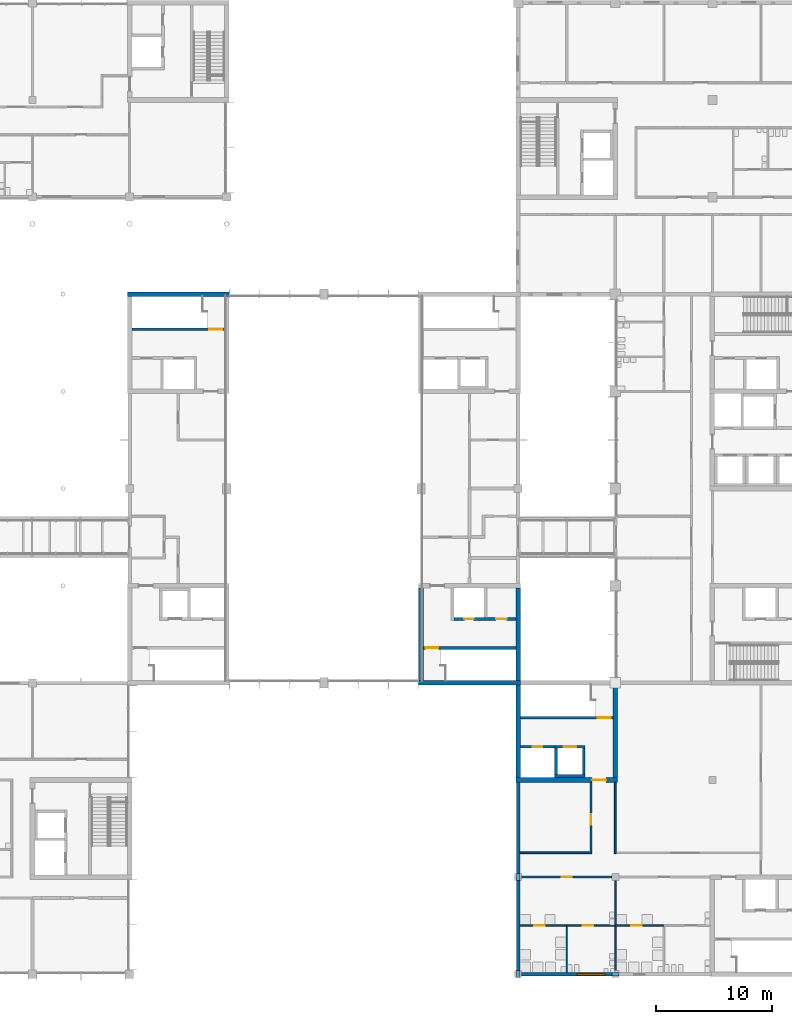
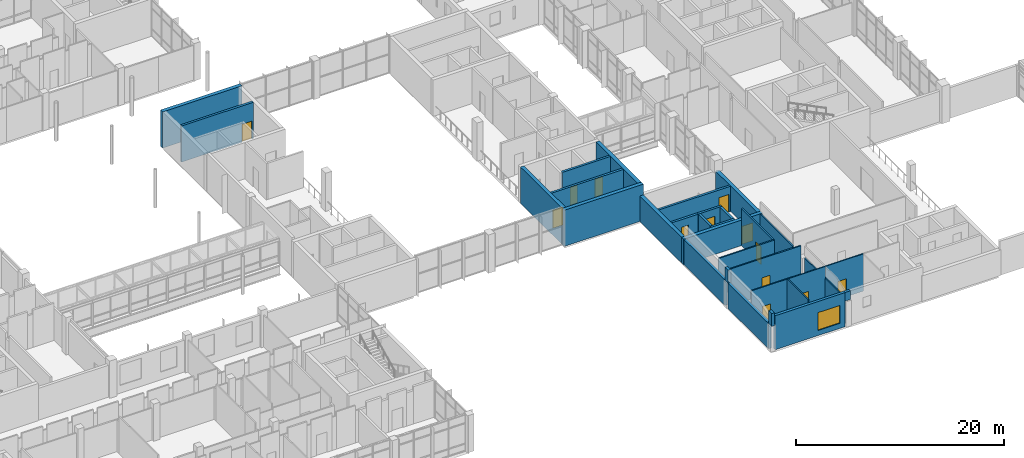
# One storey, part 38 of 70: 32 walls, 13 doors, 1 window, 14 openings.
"""IFC4 building model written with IfcOpenShell, lengths in metres."""

from ifc_helpers import new_model, si_unit, direction, frame, frame_2d, origin, place, context, subcontext, project, spatial, polyline, rectangle, outline, extrude, material, layer, layer_set, type_object, element, fill, save


model = new_model("IFC4")

# Units and contexts
model_context = context("Model", 3, precision=1e-05, world=origin(), true_north=direction((0.0, 1.0)))
body_context = subcontext(model_context, "Body", "Model", "MODEL_VIEW")
ifc_project = project(units=[si_unit("LENGTHUNIT", "METRE"), si_unit("AREAUNIT", "SQUARE_METRE"), si_unit("VOLUMEUNIT", "CUBIC_METRE"), si_unit("PLANEANGLEUNIT", "RADIAN"), si_unit("MASSUNIT", "GRAM", prefix="KILO")], contexts=[model_context])

# Site, building, storey
site_placement = place(None, origin())
site = spatial("IfcSite", under=ifc_project, at=site_placement, CompositionType="ELEMENT")
building_placement = place(site_placement, origin())
building = spatial("IfcBuilding", under=site, at=building_placement, Name="Hlaing Beacon Police Headquarters", CompositionType="ELEMENT")
storey_placement = place(building_placement, frame((0.0, 0.0, 5.39990234375)))
storey = spatial("IfcBuildingStorey", under=building, at=storey_placement, Name="L01", CompositionType="ELEMENT", Elevation=5.39990234375)

# Walls
ifc_material_1 = material(Name="Concrete C60/75", Category="concrete")
ifc_layer_1 = layer(ifc_material_1, 0.39990234375)
ifc_layer_set_1 = layer_set([ifc_layer_1], Name="Concrete C60/75")
wall_type_1 = type_object("IfcWallType", Name="Core shear wall 400", PredefinedType="SHEAR", material=ifc_layer_set_1)
wall_1_placement = place(storey_placement, frame((58.60009765625, 67.199951171875, 0.0), z_axis=(0.0, 0.0, 1.0), x_axis=(1.0, 0.0, 0.0)))
element("IfcWall", 1, at=wall_1_placement, inside=storey, type_object=wall_type_1, Name="Core shear wall", PredefinedType="SHEAR", context=body_context, shape_type="SweptSolid", body=[
    extrude(rectangle(XDim=8.7998046875, YDim=0.39990234375, at=frame_2d((4.39990234375, 0.0))), origin(), (0.0, 0.0, 1.0), 4.25),
])
wall_2_placement = place(storey_placement, frame((83.800048828125, 33.60009765625, 0.0), z_axis=(0.0, 0.0, 1.0), x_axis=(1.0, 0.0, 0.0)))
element("IfcWall", 2, at=wall_2_placement, inside=storey, type_object=wall_type_1, Name="Core shear wall", PredefinedType="SHEAR", context=body_context, shape_type="SweptSolid", body=[
    extrude(rectangle(XDim=8.800048828125, YDim=0.39990234375, at=frame_2d((4.39990234375, 0.0))), origin(), (0.0, 0.0, 1.0), 4.25),
])
for number, where, z_axis, x_axis, name in (
    (3, (84.0, 33.800048828125, 0.0), (0.0, 0.0, 1.0), (0.0, 1.0, 0.0), "Core shear wall"),
    (4, (92.39990234375, 33.800048828125, 0.0), (0.0, 0.0, 1.0), (0.0, 1.0, 0.0), "Core shear wall"),
):
    element("IfcWall", number, at=place(storey_placement, frame(where, z_axis=z_axis, x_axis=x_axis)), inside=storey, type_object=wall_type_1, Name=name, PredefinedType="SHEAR", context=body_context, shape_type="SweptSolid", body=[
        extrude(rectangle(XDim=8.0, YDim=0.39990234375, at=frame_2d((4.0, 0.0))), origin(), (0.0, 0.0, 1.0), 4.25),
    ])

# Wall, opening, door
wall_3_placement = place(storey_placement, frame((92.199951171875, 25.199951171875, 0.0), z_axis=(0.0, 0.0, 1.0), x_axis=(1.0, 0.0, 0.0)))
wall_3 = element("IfcWall", 5, at=wall_3_placement, inside=storey, type_object=wall_type_1, Name="Core shear wall", PredefinedType="SHEAR", context=body_context, shape_type="SweptSolid", body=[
    extrude(rectangle(XDim=8.800048828125, YDim=0.39990234375, at=frame_2d((4.39990234375, 0.0))), origin(), (0.0, 0.0, 1.0), 3.0),
])
opening_1_placement = place(wall_3_placement, frame((6.60009765625, 0.0, 0.0)))
opening_1 = element("IfcOpeningElement", 6, at=opening_1_placement, cuts=wall_3, Name="Opening L01-922", PredefinedType="OPENING", context=body_context, shape_type="SweptSolid", body=[
    extrude(rectangle(XDim=1.199951171875, YDim=2.10009765625, at=frame_2d((0.60009765625, 1.050048828125))), frame((0.0, 0.2099609375, 0.0), z_axis=(0.0, -1.0, 0.0), x_axis=(1.0, 0.0, 0.0)), (0.0, 0.0, 1.0), 0.419921875),
])
ifc_material_2 = material(Name="Steel fire door leaf", Category="steel")
ifc_layer_2 = layer(ifc_material_2, 0.070068359375)
ifc_layer_set_2 = layer_set([ifc_layer_2], Name="Steel fire door leaf")
door_type_1 = type_object("IfcDoorType", Name="Steel fire door FD60S 1200x2100", OperationType="SINGLE_SWING_LEFT", PredefinedType="DOOR", material=ifc_layer_set_2)
door_1_placement = place(opening_1_placement, origin())
door_1 = element("IfcDoor", 7, at=door_1_placement, inside=storey, type_object=door_type_1, Name="Door Lift and Stair Lobby ST-G Entry", OperationType="SINGLE_SWING_RIGHT", OverallHeight=2.10009765625, OverallWidth=1.199951171875, PredefinedType="DOOR", context=body_context, shape_type="SweptSolid", body=[
    extrude(rectangle(XDim=1.199951171875, YDim=2.10009765625, at=frame_2d((0.60009765625, 1.050048828125))), frame((0.0, 0.03515625, 0.0), z_axis=(0.0, -1.0, 0.0), x_axis=(1.0, 0.0, 0.0)), (0.0, 0.0, 1.0), 0.070068359375),
])
fill(opening_1, door_1)

# Walls
for number, where, z_axis, x_axis, name in (
    (8, (92.39990234375, 25.39990234375, 0.0), (0.0, 0.0, 1.0), (0.0, 1.0, 0.0), "Core shear wall"),
    (9, (100.800048828125, 25.39990234375, 0.0), (0.0, 0.0, 1.0), (0.0, 1.0, 0.0), "Core shear wall"),
):
    element("IfcWall", number, at=place(storey_placement, frame(where, z_axis=z_axis, x_axis=x_axis)), inside=storey, type_object=wall_type_1, Name=name, PredefinedType="SHEAR", context=body_context, shape_type="SweptSolid", body=[
        extrude(rectangle(XDim=8.0, YDim=0.39990234375, at=frame_2d((4.0, 0.0))), origin(), (0.0, 0.0, 1.0), 3.0),
    ])
ifc_material_3 = material(Name="Gypsum board partition")
ifc_layer_3 = layer(ifc_material_3, 0.14990234375)
ifc_layer_set_3 = layer_set([ifc_layer_3], Name="Gypsum board partition")
wall_type_2 = type_object("IfcWallType", Name="Corridor wall EI 30 150", PredefinedType="PARTITIONING", material=ifc_layer_set_3)
wall_4_placement = place(storey_placement, frame((100.800048828125, 18.824951171875, 0.0), z_axis=(0.0, 0.0, 1.0), x_axis=(0.0, 1.0, 0.0)))
element("IfcWall", 10, at=wall_4_placement, inside=storey, type_object=wall_type_2, Name="Corridor wall EI 30 150", PredefinedType="PARTITIONING", context=body_context, shape_type="SweptSolid", body=[
    extrude(rectangle(XDim=6.175048828125, YDim=0.14990234375, at=frame_2d((3.08740234375, 0.0))), origin(), (0.0, 0.0, 1.0), 2.97509765625),
])

# Wall, opening, door
wall_5_placement = place(storey_placement, frame((92.699951171875, 16.800048828125, 0.0), z_axis=(0.0, 0.0, 1.0), x_axis=(1.0, 0.0, 0.0)))
wall_5 = element("IfcWall", 11, at=wall_5_placement, inside=storey, type_object=wall_type_2, Name="Corridor wall EI 30 150", PredefinedType="PARTITIONING", context=body_context, shape_type="SweptSolid", body=[
    extrude(rectangle(XDim=7.800048828125, YDim=0.14990234375, at=frame_2d((3.89990234375, 0.0))), origin(), (0.0, 0.0, 1.0), 4.3701171875),
])
opening_2_placement = place(wall_5_placement, frame((3.449951171875, 0.0, 0.0)))
opening_2 = element("IfcOpeningElement", 12, at=opening_2_placement, cuts=wall_5, Name="Opening L01-025", PredefinedType="OPENING", context=body_context, shape_type="SweptSolid", body=[
    extrude(rectangle(XDim=0.89990234375, YDim=2.10009765625, at=frame_2d((0.449951171875, 1.050048828125))), frame((0.0, 0.0849609375, 0.0), z_axis=(0.0, -1.0, 0.0), x_axis=(1.0, 0.0, 0.0)), (0.0, 0.0, 1.0), 0.169921875),
])
ifc_material_4 = material(Name="Hardwood door leaf", Category="wood")
ifc_layer_4 = layer(ifc_material_4, 0.050048828125)
ifc_layer_set_4 = layer_set([ifc_layer_4], Name="Hardwood door leaf")
door_type_2 = type_object("IfcDoorType", Name="Fire door FD30S 900x2100", OperationType="SINGLE_SWING_LEFT", PredefinedType="DOOR", material=ifc_layer_set_4)
door_2_placement = place(opening_2_placement, frame((0.89990234375, 0.0, 0.0), z_axis=(0.0, 0.0, 1.0), x_axis=(-1.0, 0.0, 0.0)))
door_2 = element("IfcDoor", 13, at=door_2_placement, inside=storey, type_object=door_type_2, Name="Door Male Changing Room", OperationType="SINGLE_SWING_LEFT", OverallHeight=2.10009765625, OverallWidth=0.89990234375, PredefinedType="DOOR", context=body_context, shape_type="SweptSolid", body=[
    extrude(rectangle(XDim=0.89990234375, YDim=2.10009765625, at=frame_2d((0.449951171875, 1.050048828125))), frame((0.0, 0.025146484375, 0.0), z_axis=(0.0, -1.0, 0.0), x_axis=(1.0, 0.0, 0.0)), (0.0, 0.0, 1.0), 0.050048828125),
])
fill(opening_2, door_2)

# Wall
wall_6_placement = place(storey_placement, frame((92.550048828125, 18.89990234375, 0.0), z_axis=(0.0, 0.0, 1.0), x_axis=(1.0, 0.0, 0.0)))
element("IfcWall", 14, at=wall_6_placement, inside=storey, type_object=wall_type_2, Name="Corridor wall EI 30 150", PredefinedType="PARTITIONING", context=body_context, shape_type="SweptSolid", body=[
    extrude(rectangle(XDim=6.224853515625, YDim=0.14990234375, at=frame_2d((3.1123046875, 0.0))), origin(), (0.0, 0.0, 1.0), 4.3701171875),
])

# Wall, opening, door
wall_7_placement = place(storey_placement, frame((98.699951171875, 18.97509765625, 0.0), z_axis=(0.0, 0.0, 1.0), x_axis=(0.0, 1.0, 0.0)))
wall_7 = element("IfcWall", 15, at=wall_7_placement, inside=storey, type_object=wall_type_2, Name="Corridor wall EI 30 150", PredefinedType="PARTITIONING", context=body_context, shape_type="SweptSolid", body=[
    extrude(rectangle(XDim=6.02490234375, YDim=0.14990234375, at=frame_2d((3.012451171875, 0.0))), origin(), (0.0, 0.0, 1.0), 4.3701171875),
])
opening_3_placement = place(wall_7_placement, frame((2.35009765625, 0.0, 0.0)))
opening_3 = element("IfcOpeningElement", 16, at=opening_3_placement, cuts=wall_7, Name="Opening L01-028", PredefinedType="OPENING", context=body_context, shape_type="SweptSolid", body=[
    extrude(rectangle(XDim=0.89990234375, YDim=2.10009765625, at=frame_2d((0.449951171875, 1.050048828125))), frame((0.0, 0.0849609375, 0.0), z_axis=(0.0, -1.0, 0.0), x_axis=(1.0, 0.0, 0.0)), (0.0, 0.0, 1.0), 0.169921875),
])
door_3_placement = place(opening_3_placement, origin())
door_3 = element("IfcDoor", 17, at=door_3_placement, inside=storey, type_object=door_type_2, Name="Door Physiotherapy and Wellbeing Room", OperationType="SINGLE_SWING_RIGHT", OverallHeight=2.10009765625, OverallWidth=0.89990234375, PredefinedType="DOOR", context=body_context, shape_type="SweptSolid", body=[
    extrude(rectangle(XDim=0.89990234375, YDim=2.10009765625, at=frame_2d((0.449951171875, 1.050048828125))), frame((0.0, 0.02490234375, 0.0), z_axis=(0.0, -1.0, 0.0), x_axis=(1.0, 0.0, 0.0)), (0.0, 0.0, 1.0), 0.050048828125),
])
fill(opening_3, door_3)

ifc_material_5 = material(Name="Gypsum board partition")
ifc_layer_5 = layer(ifc_material_5, 0.125)
ifc_layer_set_5 = layer_set([ifc_layer_5], Name="Gypsum board partition")
wall_type_3 = type_object("IfcWallType", Name="Partition 125", PredefinedType="PARTITIONING", material=ifc_layer_set_5)
wall_8_placement = place(storey_placement, frame((100.800048828125, 12.60009765625, 0.0), z_axis=(0.0, 0.0, 1.0), x_axis=(1.0, 0.0, 0.0)))
wall_8 = element("IfcWall", 18, at=wall_8_placement, inside=storey, type_object=wall_type_3, Name="Partition 125", PredefinedType="PARTITIONING", context=body_context, shape_type="SweptSolid", body=[
    extrude(rectangle(XDim=4.199951171875, YDim=0.125, at=frame_2d((2.10009765625, 0.0))), origin(), (0.0, 0.0, 1.0), 4.3701171875),
])
opening_4_placement = place(wall_8_placement, frame((1.39990234375, 0.0, 0.0)))
opening_4 = element("IfcOpeningElement", 19, at=opening_4_placement, cuts=wall_8, Name="Opening L01-023", PredefinedType="OPENING", context=body_context, shape_type="SweptSolid", body=[
    extrude(rectangle(XDim=0.89990234375, YDim=2.10009765625, at=frame_2d((0.449951171875, 1.050048828125))), frame((0.0, 0.072509765625, 0.0), z_axis=(0.0, -1.0, 0.0), x_axis=(1.0, 0.0, 0.0)), (0.0, 0.0, 1.0), 0.14501953125),
])
ifc_material_6 = material(Name="Hardwood door leaf", Category="wood")
ifc_layer_6 = layer(ifc_material_6, 0.0400390625)
ifc_layer_set_6 = layer_set([ifc_layer_6], Name="Hardwood door leaf")
door_type_3 = type_object("IfcDoorType", Name="Door 900x2100", OperationType="SINGLE_SWING_LEFT", PredefinedType="DOOR", material=ifc_layer_set_6)
door_4_placement = place(opening_4_placement, frame((0.89990234375, 0.0, 0.0), z_axis=(0.0, 0.0, 1.0), x_axis=(-1.0, 0.0, 0.0)))
door_4 = element("IfcDoor", 20, at=door_4_placement, inside=storey, type_object=door_type_3, Name="Door Female Shower Room", OperationType="SINGLE_SWING_LEFT", OverallHeight=2.10009765625, OverallWidth=0.89990234375, PredefinedType="DOOR", context=body_context, shape_type="SweptSolid", body=[
    extrude(rectangle(XDim=0.89990234375, YDim=2.10009765625, at=frame_2d((0.449951171875, 1.050048828125))), frame((0.0, 0.02001953125, 0.0), z_axis=(0.0, -1.0, 0.0), x_axis=(1.0, 0.0, 0.0)), (0.0, 0.0, 1.0), 0.0400390625),
])
fill(opening_4, door_4)

# Walls
wall_9_placement = place(storey_placement, frame((100.800048828125, 12.662109375, 0.0), z_axis=(0.0, 0.0, 1.0), x_axis=(0.0, 1.0, 0.0)))
element("IfcWall", 21, at=wall_9_placement, inside=storey, type_object=wall_type_3, Name="Partition 125", PredefinedType="PARTITIONING", context=body_context, shape_type="SweptSolid", body=[
    extrude(rectangle(XDim=3.837890625, YDim=0.125, at=frame_2d((1.9189453125, 0.0))), origin(), (0.0, 0.0, 1.0), 2.97509765625),
])
wall_10_placement = place(storey_placement, frame((100.800048828125, 8.699951171875, 0.0), z_axis=(0.0, 0.0, 1.0), x_axis=(0.0, 1.0, 0.0)))
element("IfcWall", 22, at=wall_10_placement, inside=storey, type_object=wall_type_3, Name="Partition 125", PredefinedType="PARTITIONING", context=body_context, shape_type="SweptSolid", body=[
    extrude(rectangle(XDim=3.837158203125, YDim=0.125, at=frame_2d((1.91845703125, 0.0))), origin(), (0.0, 0.0, 1.0), 2.97509765625),
])

# Wall, opening, door
wall_11_placement = place(storey_placement, frame((92.550048828125, 12.60009765625, 0.0), z_axis=(0.0, 0.0, 1.0), x_axis=(1.0, 0.0, 0.0)))
wall_11 = element("IfcWall", 23, at=wall_11_placement, inside=storey, type_object=wall_type_3, Name="Partition 125", PredefinedType="PARTITIONING", context=body_context, shape_type="SweptSolid", body=[
    extrude(rectangle(XDim=4.050048828125, YDim=0.125, at=frame_2d((2.02490234375, 0.0))), origin(), (0.0, 0.0, 1.0), 4.3701171875),
])
opening_5_placement = place(wall_11_placement, frame((1.25, 0.0, 0.0)))
opening_5 = element("IfcOpeningElement", 24, at=opening_5_placement, cuts=wall_11, Name="Opening L01-026", PredefinedType="OPENING", context=body_context, shape_type="SweptSolid", body=[
    extrude(rectangle(XDim=0.89990234375, YDim=2.10009765625, at=frame_2d((0.449951171875, 1.050048828125))), frame((0.0, 0.072509765625, 0.0), z_axis=(0.0, -1.0, 0.0), x_axis=(1.0, 0.0, 0.0)), (0.0, 0.0, 1.0), 0.14501953125),
])
door_5_placement = place(opening_5_placement, frame((0.89990234375, 0.0, 0.0), z_axis=(0.0, 0.0, 1.0), x_axis=(-1.0, 0.0, 0.0)))
door_5 = element("IfcDoor", 25, at=door_5_placement, inside=storey, type_object=door_type_3, Name="Door Male Shower Room", OperationType="SINGLE_SWING_RIGHT", OverallHeight=2.10009765625, OverallWidth=0.89990234375, PredefinedType="DOOR", context=body_context, shape_type="SweptSolid", body=[
    extrude(rectangle(XDim=0.89990234375, YDim=2.10009765625, at=frame_2d((0.449951171875, 1.050048828125))), frame((0.0, 0.02001953125, 0.0), z_axis=(0.0, -1.0, 0.0), x_axis=(1.0, 0.0, 0.0)), (0.0, 0.0, 1.0), 0.0400390625),
])
fill(opening_5, door_5)

wall_12_placement = place(storey_placement, frame((96.60009765625, 12.60009765625, 0.0), z_axis=(0.0, 0.0, 1.0), x_axis=(1.0, 0.0, 0.0)))
wall_12 = element("IfcWall", 26, at=wall_12_placement, inside=storey, type_object=wall_type_3, Name="Partition 125", PredefinedType="PARTITIONING", context=body_context, shape_type="SweptSolid", body=[
    extrude(rectangle(XDim=4.199951171875, YDim=0.125, at=frame_2d((2.10009765625, 0.0))), origin(), (0.0, 0.0, 1.0), 4.3701171875),
])
opening_6_placement = place(wall_12_placement, frame((1.39990234375, 0.0, 0.0)))
opening_6 = element("IfcOpeningElement", 27, at=opening_6_placement, cuts=wall_12, Name="Opening L01-027", PredefinedType="OPENING", context=body_context, shape_type="SweptSolid", body=[
    extrude(rectangle(XDim=0.89990234375, YDim=2.10009765625, at=frame_2d((0.449951171875, 1.050048828125))), frame((0.0, 0.072509765625, 0.0), z_axis=(0.0, -1.0, 0.0), x_axis=(1.0, 0.0, 0.0)), (0.0, 0.0, 1.0), 0.14501953125),
])
door_6_placement = place(opening_6_placement, frame((0.89990234375, 0.0, 0.0), z_axis=(0.0, 0.0, 1.0), x_axis=(-1.0, 0.0, 0.0)))
door_6 = element("IfcDoor", 28, at=door_6_placement, inside=storey, type_object=door_type_3, Name="Door Male Changing Room WC", OperationType="SINGLE_SWING_LEFT", OverallHeight=2.10009765625, OverallWidth=0.89990234375, PredefinedType="DOOR", context=body_context, shape_type="SweptSolid", body=[
    extrude(rectangle(XDim=0.89990234375, YDim=2.10009765625, at=frame_2d((0.449951171875, 1.050048828125))), frame((0.0, 0.02001953125, 0.0), z_axis=(0.0, -1.0, 0.0), x_axis=(1.0, 0.0, 0.0)), (0.0, 0.0, 1.0), 0.0400390625),
])
fill(opening_6, door_6)

# Walls
wall_13_placement = place(storey_placement, frame((96.60009765625, 8.550048828125, 0.0), z_axis=(0.0, 0.0, 1.0), x_axis=(0.0, 1.0, 0.0)))
element("IfcWall", 29, at=wall_13_placement, inside=storey, type_object=wall_type_3, Name="Partition 125", PredefinedType="PARTITIONING", context=body_context, shape_type="SweptSolid", body=[
    extrude(rectangle(XDim=3.987060546875, YDim=0.125, at=frame_2d((1.99365234375, 0.0))), origin(), (0.0, 0.0, 1.0), 4.3701171875),
])
ifc_material_7 = material(Name="Concrete C40/50 precast ribbed cladding", Category="concrete")
ifc_layer_7 = layer(ifc_material_7, 0.300048828125)
ifc_layer_set_7 = layer_set([ifc_layer_7], Name="Concrete C40/50 precast ribbed cladding")
wall_type_4 = type_object("IfcWallType", Name="Precast ribbed wall 300", PredefinedType="SOLIDWALL", material=ifc_layer_set_7)
wall_14_placement = place(storey_placement, frame((92.39990234375, 17.10009765625, 3.0), z_axis=(0.0, 0.0, 1.0), x_axis=(0.0, -1.0, 0.0)))
element("IfcWall", 30, at=wall_14_placement, inside=storey, type_object=wall_type_4, Name="Wall over column L01 W023", PredefinedType="SOLIDWALL", context=body_context, shape_type="SweptSolid", body=[
    extrude(rectangle(XDim=0.60009765625, YDim=0.300048828125, at=frame_2d((0.300048828125, 0.0))), origin(), (0.0, 0.0, 1.0), 1.5),
])
wall_15_placement = place(storey_placement, frame((92.39990234375, 25.0, 0.0), z_axis=(0.0, 0.0, 1.0), x_axis=(0.0, -1.0, 0.0)))
element("IfcWall", 31, at=wall_15_placement, inside=storey, type_object=wall_type_4, Name="External wall L01 W022", PredefinedType="SOLIDWALL", context=body_context, shape_type="SweptSolid", body=[
    extrude(rectangle(XDim=7.89990234375, YDim=0.300048828125, at=frame_2d((3.949951171875, 0.0))), origin(), (0.0, 0.0, 1.0), 2.97509765625),
])
wall_16_placement = place(storey_placement, frame((92.39990234375, 8.699951171875, 3.0), z_axis=(0.0, 0.0, 1.0), x_axis=(0.0, -1.0, 0.0)))
element("IfcWall", 32, at=wall_16_placement, inside=storey, type_object=wall_type_4, Name="Wall over column L01 W025", PredefinedType="SOLIDWALL", context=body_context, shape_type="SweptSolid", body=[
    extrude(rectangle(XDim=0.599853515625, YDim=0.300048828125, at=frame_2d((0.2998046875, 0.0))), origin(), (0.0, 0.0, 1.0), 1.5),
])
wall_17_placement = place(storey_placement, frame((92.39990234375, 16.5, 0.0), z_axis=(0.0, 0.0, 1.0), x_axis=(0.0, -1.0, 0.0)))
element("IfcWall", 33, at=wall_17_placement, inside=storey, type_object=wall_type_4, Name="External wall L01 W024", PredefinedType="SOLIDWALL", context=body_context, shape_type="SweptSolid", body=[
    extrude(rectangle(XDim=7.800048828125, YDim=0.300048828125, at=frame_2d((3.89990234375, 0.0))), origin(), (0.0, 0.0, 1.0), 2.97509765625),
])
wall_18_placement = place(storey_placement, frame((100.5, 8.39990234375, 3.0), z_axis=(0.0, 0.0, 1.0), x_axis=(1.0, 0.0, 0.0)))
element("IfcWall", 34, at=wall_18_placement, inside=storey, type_object=wall_type_4, Name="Wall over column L01 S027", PredefinedType="SOLIDWALL", context=body_context, shape_type="SweptSolid", body=[
    extrude(outline(polyline([(0.0, 0.0), (0.60009765625, 0.0), (0.60009765625, 1.0), (0.0, 1.0), (0.0, 0.0)])), frame((0.0, 0.14990234375, 0.0), z_axis=(0.0, -1.0, 0.0), x_axis=(1.0, 0.0, 0.0)), (0.0, 0.0, 1.0), 0.300048828125),
])

# Wall, opening, window
wall_19_placement = place(storey_placement, frame((92.699951171875, 8.39990234375, 0.0), z_axis=(0.0, 0.0, 1.0), x_axis=(1.0, 0.0, 0.0)))
wall_19 = element("IfcWall", 35, at=wall_19_placement, inside=storey, type_object=wall_type_4, Name="External wall L01 S026", PredefinedType="SOLIDWALL", context=body_context, shape_type="SweptSolid", body=[
    extrude(outline(polyline([(0.0, 0.0), (7.800048828125, 0.0), (7.800048828125, 4.0), (0.0, 4.0), (0.0, 0.0)])), frame((0.0, 0.14990234375, 0.0), z_axis=(0.0, -1.0, 0.0), x_axis=(1.0, 0.0, 0.0)), (0.0, 0.0, 1.0), 0.300048828125),
])
opening_7_placement = place(wall_19_placement, frame((4.800048828125, 0.0, 0.60009765625)))
opening_7 = element("IfcOpeningElement", 36, at=opening_7_placement, cuts=wall_19, Name="Opening WN8", PredefinedType="OPENING", context=body_context, shape_type="SweptSolid", body=[
    extrude(rectangle(XDim=2.39990234375, YDim=2.10009765625, at=frame_2d((1.199951171875, 1.050048828125))), frame((0.0, 0.16015625, 0.0), z_axis=(0.0, -1.0, 0.0), x_axis=(1.0, 0.0, 0.0)), (0.0, 0.0, 1.0), 0.320068359375),
])
ifc_material_8 = material(Name="Aluminium louvre blades", Category="aluminium")
window_type = type_object("IfcWindowType", Name="Louvred bay 2400 2400x2100 frame 120", PartitioningType="SINGLE_PANEL", PredefinedType="WINDOW", material=ifc_material_8)
window_placement = place(opening_7_placement, origin())
window = element("IfcWindow", 37, at=window_placement, inside=storey, type_object=window_type, Name="Louvre L01 WL3", OverallHeight=2.10009765625, OverallWidth=2.39990234375, PartitioningType="SINGLE_PANEL", PredefinedType="WINDOW", context=body_context, shape_type="SweptSolid", body=[
    extrude(rectangle(XDim=2.39990234375, YDim=2.10009765625, at=frame_2d((1.199951171875, 1.050048828125))), frame((0.0, 0.06005859375, 0.0), z_axis=(0.0, -1.0, 0.0), x_axis=(1.0, 0.0, 0.0)), (0.0, 0.0, 1.0), 0.1201171875),
])
fill(opening_7, window)

# Wall, opening, door
ifc_material_9 = material(Name="Concrete C40/50", Category="concrete")
ifc_layer_8 = layer(ifc_material_9, 0.25)
ifc_layer_set_8 = layer_set([ifc_layer_8], Name="Concrete C40/50")
wall_type_5 = type_object("IfcWallType", Name="Shaft wall 250", PredefinedType="SOLIDWALL", material=ifc_layer_set_8)
wall_20_placement = place(storey_placement, frame((67.0, 64.175048828125, 0.0), z_axis=(0.0, 0.0, 1.0), x_axis=(-1.0, 0.0, 0.0)))
wall_20 = element("IfcWall", 38, at=wall_20_placement, inside=storey, type_object=wall_type_5, Name="Stair enclosure wall", PredefinedType="SOLIDWALL", context=body_context, shape_type="SweptSolid", body=[
    extrude(rectangle(XDim=8.0, YDim=0.25, at=frame_2d((4.0, 0.0))), origin(), (0.0, 0.0, 1.0), 4.25),
])
opening_8_placement = place(wall_20_placement, frame((0.199951171875, 0.0, 0.0)))
opening_8 = element("IfcOpeningElement", 39, at=opening_8_placement, cuts=wall_20, Name="Opening L01-907", PredefinedType="OPENING", context=body_context, shape_type="SweptSolid", body=[
    extrude(rectangle(XDim=1.10009765625, YDim=2.10009765625, at=frame_2d((0.550048828125, 1.050048828125))), frame((0.0, 0.135009765625, 0.0), z_axis=(0.0, -1.0, 0.0), x_axis=(1.0, 0.0, 0.0)), (0.0, 0.0, 1.0), 0.27001953125),
])
ifc_material_10 = material(Name="Steel fire door leaf", Category="steel")
ifc_layer_9 = layer(ifc_material_10, 0.070068359375)
ifc_layer_set_9 = layer_set([ifc_layer_9], Name="Steel fire door leaf")
door_type_4 = type_object("IfcDoorType", Name="Steel fire door FD60 1100x2100", OperationType="SINGLE_SWING_LEFT", PredefinedType="DOOR", material=ifc_layer_set_9)
door_7_placement = place(opening_8_placement, frame((1.10009765625, 0.0, 0.0), z_axis=(0.0, 0.0, 1.0), x_axis=(-1.0, 0.0, 0.0)))
door_7 = element("IfcDoor", 40, at=door_7_placement, inside=storey, type_object=door_type_4, Name="Door Stair ST-B", OperationType="SINGLE_SWING_LEFT", OverallHeight=2.10009765625, OverallWidth=1.10009765625, PredefinedType="DOOR", context=body_context, shape_type="SweptSolid", body=[
    extrude(rectangle(XDim=1.10009765625, YDim=2.10009765625, at=frame_2d((0.550048828125, 1.050048828125))), frame((0.0, 0.034912109375, 0.0), z_axis=(0.0, -1.0, 0.0), x_axis=(1.0, 0.0, 0.0)), (0.0, 0.0, 1.0), 0.070068359375),
])
fill(opening_8, door_7)

wall_21_placement = place(storey_placement, frame((84.199951171875, 36.625, 0.0), z_axis=(0.0, 0.0, 1.0), x_axis=(1.0, 0.0, 0.0)))
wall_21 = element("IfcWall", 41, at=wall_21_placement, inside=storey, type_object=wall_type_5, Name="Stair enclosure wall", PredefinedType="SOLIDWALL", context=body_context, shape_type="SweptSolid", body=[
    extrude(rectangle(XDim=8.0, YDim=0.25, at=frame_2d((4.0, 0.0))), origin(), (0.0, 0.0, 1.0), 4.25),
])
opening_9_placement = place(wall_21_placement, frame((0.199951171875, 0.0, 0.0)))
opening_9 = element("IfcOpeningElement", 42, at=opening_9_placement, cuts=wall_21, Name="Opening L01-911", PredefinedType="OPENING", context=body_context, shape_type="SweptSolid", body=[
    extrude(rectangle(XDim=1.10009765625, YDim=2.10009765625, at=frame_2d((0.550048828125, 1.050048828125))), frame((0.0, 0.135009765625, 0.0), z_axis=(0.0, -1.0, 0.0), x_axis=(1.0, 0.0, 0.0)), (0.0, 0.0, 1.0), 0.27001953125),
])
door_8_placement = place(opening_9_placement, frame((1.10009765625, 0.0, 0.0), z_axis=(0.0, 0.0, 1.0), x_axis=(-1.0, 0.0, 0.0)))
door_8 = element("IfcDoor", 43, at=door_8_placement, inside=storey, type_object=door_type_4, Name="Door Stair ST-C", OperationType="SINGLE_SWING_LEFT", OverallHeight=2.10009765625, OverallWidth=1.10009765625, PredefinedType="DOOR", context=body_context, shape_type="SweptSolid", body=[
    extrude(rectangle(XDim=1.10009765625, YDim=2.10009765625, at=frame_2d((0.550048828125, 1.050048828125))), frame((0.0, 0.034912109375, 0.0), z_axis=(0.0, -1.0, 0.0), x_axis=(1.0, 0.0, 0.0)), (0.0, 0.0, 1.0), 0.070068359375),
])
fill(opening_9, door_8)

# Wall, openings, doors
wall_22_placement = place(storey_placement, frame((86.85009765625, 39.125, 0.0), z_axis=(0.0, 0.0, 1.0), x_axis=(1.0, 0.0, 0.0)))
wall_22 = element("IfcWall", 44, at=wall_22_placement, inside=storey, type_object=wall_type_5, Name="Lobby wall", PredefinedType="SOLIDWALL", context=body_context, shape_type="SweptSolid", body=[
    extrude(rectangle(XDim=5.349853515625, YDim=0.25, at=frame_2d((2.6748046875, 0.0))), origin(), (0.0, 0.0, 1.0), 4.25),
])
opening_10_placement = place(wall_22_placement, frame((3.64990234375, 0.0, 0.0)))
opening_10 = element("IfcOpeningElement", 45, at=opening_10_placement, cuts=wall_22, Name="Opening L01-908", PredefinedType="OPENING", context=body_context, shape_type="SweptSolid", body=[
    extrude(rectangle(XDim=0.89990234375, YDim=2.10009765625, at=frame_2d((0.449951171875, 1.050048828125))), frame((0.0, 0.135009765625, 0.0), z_axis=(0.0, -1.0, 0.0), x_axis=(1.0, 0.0, 0.0)), (0.0, 0.0, 1.0), 0.27001953125),
])
opening_11_placement = place(wall_22_placement, frame((0.89990234375, 0.0, 0.0)))
opening_11 = element("IfcOpeningElement", 46, at=opening_11_placement, cuts=wall_22, Name="Opening L01-910", PredefinedType="OPENING", context=body_context, shape_type="SweptSolid", body=[
    extrude(rectangle(XDim=0.800048828125, YDim=2.10009765625, at=frame_2d((0.39990234375, 1.050048828125))), frame((0.0, 0.135009765625, 0.0), z_axis=(0.0, -1.0, 0.0), x_axis=(1.0, 0.0, 0.0)), (0.0, 0.0, 1.0), 0.27001953125),
])
ifc_material_11 = material(Name="Steel fire door leaf", Category="steel")
ifc_layer_10 = layer(ifc_material_11, 0.070068359375)
ifc_layer_set_10 = layer_set([ifc_layer_10], Name="Steel fire door leaf")
door_type_5 = type_object("IfcDoorType", Name="Steel fire door FD60 800x2100", OperationType="SINGLE_SWING_LEFT", PredefinedType="DOOR", material=ifc_layer_set_10)
door_9_placement = place(opening_11_placement, origin())
door_9 = element("IfcDoor", 47, at=door_9_placement, inside=storey, type_object=door_type_5, Name="Door Services Riser", OperationType="SINGLE_SWING_RIGHT", OverallHeight=2.10009765625, OverallWidth=0.800048828125, PredefinedType="DOOR", context=body_context, shape_type="SweptSolid", body=[
    extrude(rectangle(XDim=0.800048828125, YDim=2.10009765625, at=frame_2d((0.39990234375, 1.050048828125))), frame((0.0, 0.03515625, 0.0), z_axis=(0.0, -1.0, 0.0), x_axis=(1.0, 0.0, 0.0)), (0.0, 0.0, 1.0), 0.070068359375),
])
fill(opening_11, door_9)
ifc_material_12 = material(Name="Steel fire door leaf", Category="steel")
ifc_layer_11 = layer(ifc_material_12, 0.070068359375)
ifc_layer_set_11 = layer_set([ifc_layer_11], Name="Steel fire door leaf")
door_type_6 = type_object("IfcDoorType", Name="Steel fire door FD60 900x2100", OperationType="SINGLE_SWING_LEFT", PredefinedType="DOOR", material=ifc_layer_set_11)
door_10_placement = place(opening_10_placement, origin())
door_10 = element("IfcDoor", 48, at=door_10_placement, inside=storey, type_object=door_type_6, Name="Door Cleaners' Store", OperationType="SINGLE_SWING_LEFT", OverallHeight=2.10009765625, OverallWidth=0.89990234375, PredefinedType="DOOR", context=body_context, shape_type="SweptSolid", body=[
    extrude(rectangle(XDim=0.89990234375, YDim=2.10009765625, at=frame_2d((0.449951171875, 1.050048828125))), frame((0.0, 0.03515625, 0.0), z_axis=(0.0, -1.0, 0.0), x_axis=(1.0, 0.0, 0.0)), (0.0, 0.0, 1.0), 0.070068359375),
])
fill(opening_10, door_10)

# Wall, opening, door
wall_23_placement = place(storey_placement, frame((100.60009765625, 30.574951171875, 0.0), z_axis=(0.0, 0.0, 1.0), x_axis=(-1.0, 0.0, 0.0)))
wall_23 = element("IfcWall", 49, at=wall_23_placement, inside=storey, type_object=wall_type_5, Name="Stair enclosure wall", PredefinedType="SOLIDWALL", context=body_context, shape_type="SweptSolid", body=[
    extrude(rectangle(XDim=8.0, YDim=0.25, at=frame_2d((4.0, 0.0))), origin(), (0.0, 0.0, 1.0), 3.0),
])
opening_12_placement = place(wall_23_placement, frame((0.199951171875, 0.0, 0.0)))
opening_12 = element("IfcOpeningElement", 50, at=opening_12_placement, cuts=wall_23, Name="Opening L01-924", PredefinedType="OPENING", context=body_context, shape_type="SweptSolid", body=[
    extrude(rectangle(XDim=1.10009765625, YDim=2.10009765625, at=frame_2d((0.550048828125, 1.050048828125))), frame((0.0, 0.135009765625, 0.0), z_axis=(0.0, -1.0, 0.0), x_axis=(1.0, 0.0, 0.0)), (0.0, 0.0, 1.0), 0.27001953125),
])
door_11_placement = place(opening_12_placement, frame((1.10009765625, 0.0, 0.0), z_axis=(0.0, 0.0, 1.0), x_axis=(-1.0, 0.0, 0.0)))
door_11 = element("IfcDoor", 51, at=door_11_placement, inside=storey, type_object=door_type_4, Name="Door Stair ST-G", OperationType="SINGLE_SWING_LEFT", OverallHeight=2.10009765625, OverallWidth=1.10009765625, PredefinedType="DOOR", context=body_context, shape_type="SweptSolid", body=[
    extrude(rectangle(XDim=1.10009765625, YDim=2.10009765625, at=frame_2d((0.550048828125, 1.050048828125))), frame((0.0, 0.034912109375, 0.0), z_axis=(0.0, -1.0, 0.0), x_axis=(1.0, 0.0, 0.0)), (0.0, 0.0, 1.0), 0.070068359375),
])
fill(opening_12, door_11)

wall_24_placement = place(storey_placement, frame((95.550048828125, 28.074951171875, 0.0), z_axis=(0.0, 0.0, 1.0), x_axis=(-1.0, 0.0, 0.0)))
wall_24 = element("IfcWall", 52, at=wall_24_placement, inside=storey, type_object=wall_type_5, Name="Lobby wall", PredefinedType="SOLIDWALL", context=body_context, shape_type="SweptSolid", body=[
    extrude(rectangle(XDim=2.949951171875, YDim=0.25, at=frame_2d((1.47509765625, 0.0))), origin(), (0.0, 0.0, 1.0), 3.0),
])
opening_13_placement = place(wall_24_placement, frame((1.074951171875, 0.0, 0.0)))
opening_13 = element("IfcOpeningElement", 53, at=opening_13_placement, cuts=wall_24, Name="Opening L01-923", PredefinedType="OPENING", context=body_context, shape_type="SweptSolid", body=[
    extrude(rectangle(XDim=0.800048828125, YDim=2.10009765625, at=frame_2d((0.39990234375, 1.050048828125))), frame((0.0, 0.135009765625, 0.0), z_axis=(0.0, -1.0, 0.0), x_axis=(1.0, 0.0, 0.0)), (0.0, 0.0, 1.0), 0.27001953125),
])
door_12_placement = place(opening_13_placement, origin())
door_12 = element("IfcDoor", 54, at=door_12_placement, inside=storey, type_object=door_type_5, Name="Door Services Riser", OperationType="SINGLE_SWING_RIGHT", OverallHeight=2.10009765625, OverallWidth=0.800048828125, PredefinedType="DOOR", context=body_context, shape_type="SweptSolid", body=[
    extrude(rectangle(XDim=0.800048828125, YDim=2.10009765625, at=frame_2d((0.39990234375, 1.050048828125))), frame((0.0, 0.03515625, 0.0), z_axis=(0.0, -1.0, 0.0), x_axis=(1.0, 0.0, 0.0)), (0.0, 0.0, 1.0), 0.070068359375),
])
fill(opening_13, door_12)

# Wall
wall_25_placement = place(storey_placement, frame((98.074951171875, 25.64990234375, 0.0), z_axis=(0.0, 0.0, 1.0), x_axis=(0.0, 1.0, 0.0)))
element("IfcWall", 55, at=wall_25_placement, inside=storey, type_object=wall_type_5, Name="Lift shaft wall PL4", PredefinedType="SOLIDWALL", context=body_context, shape_type="SweptSolid", body=[
    extrude(rectangle(XDim=2.300048828125, YDim=0.25, at=frame_2d((1.14990234375, 0.0))), origin(), (0.0, 0.0, 1.0), 3.0),
])

# Wall, opening, door
wall_26_placement = place(storey_placement, frame((95.550048828125, 28.074951171875, 0.0), z_axis=(0.0, 0.0, 1.0), x_axis=(1.0, 0.0, 0.0)))
wall_26 = element("IfcWall", 56, at=wall_26_placement, inside=storey, type_object=wall_type_5, Name="Lift shaft wall PL4", PredefinedType="SOLIDWALL", context=body_context, shape_type="SweptSolid", body=[
    extrude(rectangle(XDim=2.64990234375, YDim=0.25, at=frame_2d((1.324951171875, 0.0))), origin(), (0.0, 0.0, 1.0), 3.0),
])
opening_14_placement = place(wall_26_placement, frame((0.77490234375, 0.0, 0.0)))
opening_14 = element("IfcOpeningElement", 57, at=opening_14_placement, cuts=wall_26, Name="Opening LD-PL4-L01", PredefinedType="OPENING", context=body_context, shape_type="SweptSolid", body=[
    extrude(rectangle(XDim=1.10009765625, YDim=2.10009765625, at=frame_2d((0.550048828125, 1.050048828125))), frame((0.0, 0.135009765625, 0.0), z_axis=(0.0, -1.0, 0.0), x_axis=(1.0, 0.0, 0.0)), (0.0, 0.0, 1.0), 0.27001953125),
])
ifc_material_13 = material(Name="Stainless steel lift landing door", Category="steel")
ifc_layer_12 = layer(ifc_material_13, 0.06005859375)
ifc_layer_set_12 = layer_set([ifc_layer_12], Name="Stainless steel lift landing door")
door_type_7 = type_object("IfcDoorType", Name="Lift landing door 1100x2100", OperationType="DOUBLE_DOOR_SLIDING", PredefinedType="DOOR", material=ifc_layer_set_12)
door_13_placement = place(opening_14_placement, origin())
door_13 = element("IfcDoor", 58, at=door_13_placement, inside=storey, type_object=door_type_7, Name="Landing door PL4 L01", OperationType="DOUBLE_DOOR_SLIDING", OverallHeight=2.10009765625, OverallWidth=1.10009765625, PredefinedType="DOOR", context=body_context, shape_type="SweptSolid", body=[
    extrude(rectangle(XDim=1.10009765625, YDim=2.10009765625, at=frame_2d((0.550048828125, 1.050048828125))), frame((0.0, 0.0400390625, 0.0), z_axis=(0.0, -1.0, 0.0), x_axis=(1.0, 0.0, 0.0)), (0.0, 0.0, 1.0), 0.080078125),
])
fill(opening_14, door_13)

# Walls
wall_27_placement = place(storey_placement, frame((95.550048828125, 25.52490234375, 0.0), z_axis=(0.0, 0.0, 1.0), x_axis=(1.0, 0.0, 0.0)))
element("IfcWall", 59, at=wall_27_placement, inside=storey, type_object=wall_type_5, Name="Lift shaft wall PL4", PredefinedType="SOLIDWALL", context=body_context, shape_type="SweptSolid", body=[
    extrude(rectangle(XDim=2.64990234375, YDim=0.25, at=frame_2d((1.324951171875, 0.0))), origin(), (0.0, 0.0, 1.0), 3.0),
])
wall_28_placement = place(storey_placement, frame((95.675048828125, 25.64990234375, 0.0), z_axis=(0.0, 0.0, 1.0), x_axis=(0.0, 1.0, 0.0)))
element("IfcWall", 60, at=wall_28_placement, inside=storey, type_object=wall_type_5, Name="Lift shaft wall PL4", PredefinedType="SOLIDWALL", context=body_context, shape_type="SweptSolid", body=[
    extrude(rectangle(XDim=2.300048828125, YDim=0.25, at=frame_2d((1.14990234375, 0.0))), origin(), (0.0, 0.0, 1.0), 3.0),
])

save(model, "model.ifc")
